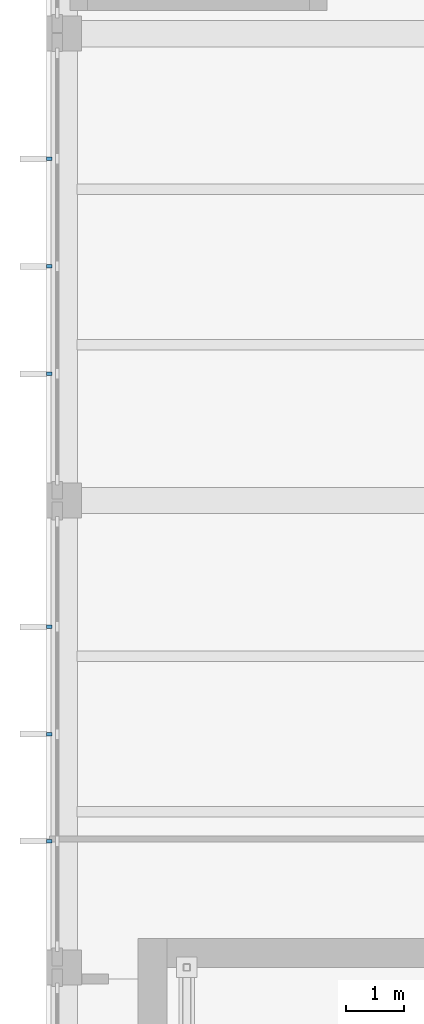
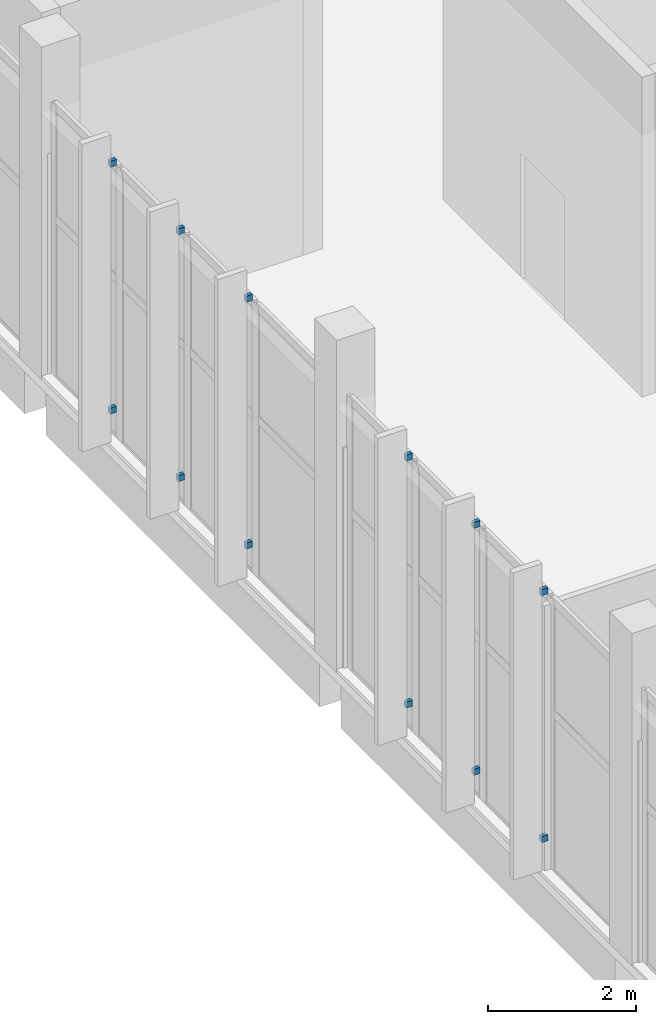
# One storey, part 90 of 132: 12 discrete accessories.
"""IFC4 building model written with IfcOpenShell, lengths in metres."""

from ifc_helpers import new_model, si_unit, direction, frame, origin, origin_2d, place, context, subcontext, project, spatial, rectangle, extrude, material, type_object, element, save


model = new_model("IFC4")

# Units and contexts
model_context = context("Model", 3, precision=1e-05, world=origin(), true_north=direction((0.0, 1.0)))
body_context = subcontext(model_context, "Body", "Model", "MODEL_VIEW")
ifc_project = project(units=[si_unit("LENGTHUNIT", "METRE"), si_unit("AREAUNIT", "SQUARE_METRE"), si_unit("VOLUMEUNIT", "CUBIC_METRE"), si_unit("PLANEANGLEUNIT", "RADIAN"), si_unit("MASSUNIT", "GRAM", prefix="KILO")], contexts=[model_context])

# Site, building, storey
site_placement = place(None, origin())
site = spatial("IfcSite", under=ifc_project, at=site_placement, CompositionType="ELEMENT")
building_placement = place(site_placement, origin())
building = spatial("IfcBuilding", under=site, at=building_placement, Name="Lunette Opera House", CompositionType="ELEMENT")
storey_placement = place(building_placement, frame((0.0, 0.0, 17.0)))
storey = spatial("IfcBuildingStorey", under=building, at=storey_placement, Name="L03", CompositionType="ELEMENT", Elevation=17.0)

# Discrete accessories
ifc_material = material(Name="Galvanised steel", Category="steel")
discrete_accessory_type = type_object("IfcDiscreteAccessoryType", Name="FIN BRACKET STEEL", PredefinedType="BRACKET", material=ifc_material)
for number, where, z_axis, x_axis, name in (
    (1, (8.0419921875, 101.85498046875, 0.56494140625), (0.0, 0.0, 1.0), (-1.0, 0.0, 0.0), "Fin bracket RW-X2044 1 1"),
    (2, (8.0419921875, 101.85498046875, 4.64990234375), (0.0, 0.0, 1.0), (-1.0, 0.0, 0.0), "Fin bracket RW-X2044 1 2"),
    (3, (8.0419921875, 100.012939453125, 0.56494140625), (0.0, 0.0, 1.0), (-1.0, 0.0, 0.0), "Fin bracket RW-X2044 2 1"),
    (4, (8.0419921875, 100.012939453125, 4.64990234375), (0.0, 0.0, 1.0), (-1.0, 0.0, 0.0), "Fin bracket RW-X2044 2 2"),
    (5, (8.0419921875, 98.1708984375, 0.56494140625), (0.0, 0.0, 1.0), (-1.0, 0.0, 0.0), "Fin bracket RW-X2044 3 1"),
    (6, (8.0419921875, 98.1708984375, 4.64990234375), (0.0, 0.0, 1.0), (-1.0, 0.0, 0.0), "Fin bracket RW-X2044 3 2"),
    (7, (8.0419921875, 93.8349609375, 0.56494140625), (0.0, 0.0, 1.0), (-1.0, 0.0, 0.0), "Fin bracket RW-X2045 1 1"),
    (8, (8.0419921875, 93.8349609375, 4.64990234375), (0.0, 0.0, 1.0), (-1.0, 0.0, 0.0), "Fin bracket RW-X2045 1 2"),
    (9, (8.0419921875, 92.0, 0.56494140625), (0.0, 0.0, 1.0), (-1.0, 0.0, 0.0), "Fin bracket RW-X2045 2 1"),
    (10, (8.0419921875, 92.0, 4.64990234375), (0.0, 0.0, 1.0), (-1.0, 0.0, 0.0), "Fin bracket RW-X2045 2 2"),
    (11, (8.0419921875, 90.1650390625, 0.56494140625), (0.0, 0.0, 1.0), (-1.0, 0.0, 0.0), "Fin bracket RW-X2045 3 1"),
    (12, (8.0419921875, 90.1650390625, 4.64990234375), (0.0, 0.0, 1.0), (-1.0, 0.0, 0.0), "Fin bracket RW-X2045 3 2"),
):
    element("IfcDiscreteAccessory", number, at=place(storey_placement, frame(where, z_axis=z_axis, x_axis=x_axis)), inside=storey, type_object=discrete_accessory_type, Name=name, PredefinedType="BRACKET", context=body_context, shape_type="SweptSolid", body=[
        extrude(rectangle(XDim=0.10009765625, YDim=0.06005859375, at=origin_2d()), origin(), (0.0, 0.0, 1.0), 0.10009765625),
    ])

save(model, "model.ifc")
